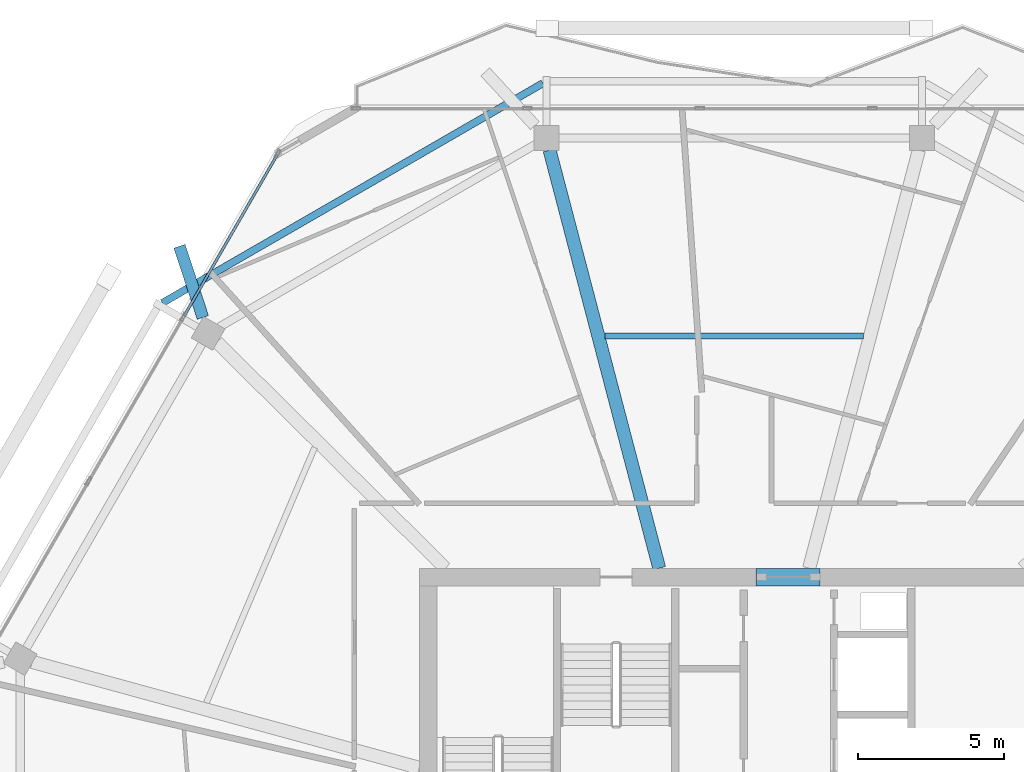
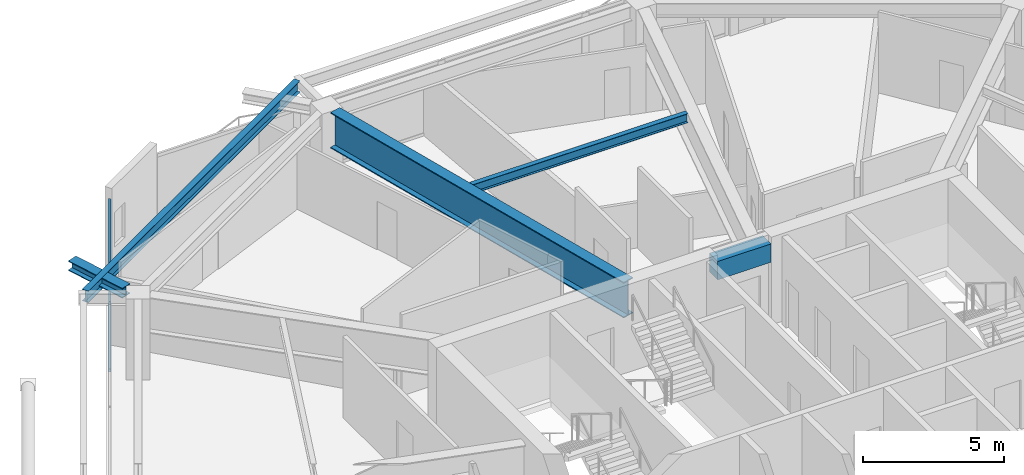
# One storey, part 13 of 26: 5 beams, 2 members, 1 element without a shape of its own.
"""IFC4 building model written with IfcOpenShell, lengths in metres."""

from ifc_helpers import new_model, si_unit, direction, frame, origin, origin_2d, place, context, subcontext, project, spatial, rectangle, hollow_rectangle, i_section, extrude, material, material_profile, profile_set, type_object, element, aggregate, save


model = new_model("IFC4")

# Units and contexts
model_context = context("Model", 3, precision=1e-05, world=origin(), true_north=direction((0.0, 1.0)))
body_context = subcontext(model_context, "Body", "Model", "MODEL_VIEW")
ifc_project = project(units=[si_unit("LENGTHUNIT", "METRE"), si_unit("AREAUNIT", "SQUARE_METRE"), si_unit("VOLUMEUNIT", "CUBIC_METRE"), si_unit("PLANEANGLEUNIT", "RADIAN"), si_unit("MASSUNIT", "GRAM", prefix="KILO")], contexts=[model_context])

# Site, building, storey
site_placement = place(None, origin())
site = spatial("IfcSite", under=ifc_project, at=site_placement, CompositionType="ELEMENT")
building_placement = place(site_placement, origin())
building = spatial("IfcBuilding", under=site, at=building_placement, Name="Zuhravey Tower", CompositionType="ELEMENT")
storey_placement = place(building_placement, frame((0.0, 0.0, 299.60009765625)))
storey = spatial("IfcBuildingStorey", under=building, at=storey_placement, Name="L76", CompositionType="ELEMENT", Elevation=299.60009765625)

# Beam
ifc_material_1 = material(Name="Concrete C50/60", Category="concrete")
ifc_material_profile_1 = material_profile(ifc_material_1, rectangle(XDim=0.60009765625, YDim=0.800048828125, at=origin_2d()), Name="RC-600x800")
ifc_profile_set_1 = profile_set([ifc_material_profile_1], Name="Concrete C50/60")
beam_type_1 = type_object("IfcBeamType", Name="Core Coupling Beam RC600x800", PredefinedType="LINTEL", material=ifc_profile_set_1)
beam_1_placement = place(storey_placement, frame((36.751953125, 41.5, 3.119873046875), z_axis=(1.0, 0.0, 0.0), x_axis=(0.0, 1.0, 0.0)))
element("IfcBeam", 1, at=beam_1_placement, inside=storey, type_object=beam_type_1, Name="L76 CB2 BM-L76-CB-N", PredefinedType="LINTEL", context=body_context, shape_type="SweptSolid", body=[
    extrude(rectangle(XDim=0.60009765625, YDim=0.800048828125, at=origin_2d()), origin(), (0.0, 0.0, 1.0), 2.196044921875),
])

# Curtain wall, members
ifc_material_2 = material(Name="Thermally broken anodised aluminium", Category="aluminium")
curtain_wall_type = type_object("IfcCurtainWallType", Name="Zone 3-4 High-Rise Curtain Wall CW4", PredefinedType="NOTDEFINED", material=ifc_material_2)
curtain_wall_placement = place(storey_placement, origin())
curtain_wall = element("IfcCurtainWall", 2, at=curtain_wall_placement, inside=storey, type_object=curtain_wall_type, Name="L76 CW4 CW-L76-F3-1", PredefinedType="NOTDEFINED")
ifc_material_3 = material(Name="Anodised aluminium", Category="aluminium")
ifc_material_profile_2 = material_profile(ifc_material_3, hollow_rectangle(XDim=0.090087890625, YDim=0.14990234375, WallThickness=0.0048828125, at=origin_2d()), Name="ALU-RHS-90x150x5")
ifc_profile_set_2 = profile_set([ifc_material_profile_2], Name="Anodised aluminium")
member_type = type_object("IfcMemberType", Name="Curtain-Wall Transom 90x150", PredefinedType="USERDEFINED", material=ifc_profile_set_2)
member_1_placement = place(storey_placement, frame((17.136962890625, 50.455322265625, 0.044921875), z_axis=(0.499980071345, 0.866036909293, 0.0), x_axis=(-0.866036909293, 0.499980071345, 0.0)))
member_1 = element("IfcMember", 3, at=member_1_placement, type_object=member_type, Name="CW4 transom 4.1", ObjectType="TRANSOM", PredefinedType="USERDEFINED", context=body_context, shape_type="SweptSolid", body=[
    extrude(hollow_rectangle(XDim=0.090087890625, YDim=0.14990234375, WallThickness=0.0048828125, at=origin_2d()), origin(), (0.0, 0.0, 1.0), 6.371337890625),
])
member_2_placement = place(storey_placement, frame((17.136962890625, 50.455322265625, 2.974853515625), z_axis=(0.499980071345, 0.866036909293, 0.0), x_axis=(-0.866036909293, 0.499980071345, 0.0)))
member_2 = element("IfcMember", 4, at=member_2_placement, type_object=member_type, Name="CW4 transom 4.2", ObjectType="TRANSOM", PredefinedType="USERDEFINED", context=body_context, shape_type="SweptSolid", body=[
    extrude(hollow_rectangle(XDim=0.090087890625, YDim=0.14990234375, WallThickness=0.0048828125, at=origin_2d()), origin(), (0.0, 0.0, 1.0), 6.371337890625),
])
aggregate(curtain_wall, [member_1, member_2])

# Beams
ifc_material_4 = material(Name="Steel SM460", Category="steel")
ifc_material_profile_3 = material_profile(ifc_material_4, i_section(OverallWidth=0.406982421875, OverallDepth=0.427978515625, WebThickness=0.02001953125, FlangeThickness=0.034912109375, at=origin_2d()), Name="H-428x407x20x35")
ifc_profile_set_3 = profile_set([ifc_material_profile_3], Name="Steel SM460")
beam_type_2 = type_object("IfcBeamType", Name="Exoskeleton Node Tie Beam H428x407", PredefinedType="BEAM", material=ifc_profile_set_3)
beam_2_placement = place(storey_placement, frame((17.77734375, 50.400390625, 3.305908203125), z_axis=(-0.311724891649, 0.95017240116, 0.0), x_axis=(-0.95017240116, -0.311724891649, 0.0)))
element("IfcBeam", 5, at=beam_2_placement, inside=storey, type_object=beam_type_2, Name="L76 Exoskeleton Node Tie NT1-05", PredefinedType="BEAM", context=body_context, shape_type="SweptSolid", body=[
    extrude(i_section(OverallWidth=0.406982421875, OverallDepth=0.427978515625, WebThickness=0.02001953125, FlangeThickness=0.034912109375, at=origin_2d()), origin(), (0.0, 0.0, 1.0), 2.572021484375),
])
ifc_material_profile_4 = material_profile(ifc_material_4, i_section(OverallWidth=0.449951171875, OverallDepth=1.550048828125, WebThickness=0.02587890625, FlangeThickness=0.0419921875, at=origin_2d()), Name="H-1550x450x26x42")
ifc_profile_set_4 = profile_set([ifc_material_profile_4], Name="Steel SM460")
beam_type_3 = type_object("IfcBeamType", Name="Heavy Setback Transfer Girder H1550x450", PredefinedType="BEAM", material=ifc_profile_set_4)
beam_3_placement = place(storey_placement, frame((33.428466796875, 41.802978515625, 2.744873046875), z_axis=(-0.25373188956, 0.967274587809, 0.0), x_axis=(-0.967274587809, -0.25373188956, 0.0)))
element("IfcBeam", 6, at=beam_3_placement, inside=storey, type_object=beam_type_3, Name="L76 TG3 BM-L76-RAD-04", PredefinedType="BEAM", context=body_context, shape_type="SweptSolid", body=[
    extrude(i_section(OverallWidth=0.449951171875, OverallDepth=1.550048828125, WebThickness=0.02587890625, FlangeThickness=0.0419921875, at=origin_2d()), origin(), (0.0, 0.0, 1.0), 14.82177734375),
])
ifc_material_5 = material(Name="Steel SM355", Category="steel")
ifc_material_profile_5 = material_profile(ifc_material_5, i_section(OverallWidth=0.199951171875, OverallDepth=0.39990234375, WebThickness=0.008056640625, FlangeThickness=0.012939453125, at=origin_2d()), Name="H-400x200x8x13")
ifc_profile_set_5 = profile_set([ifc_material_profile_5], Name="Steel SM355")
beam_type_4 = type_object("IfcBeamType", Name="Secondary Floor Joist H400x200", PredefinedType="JOIST", material=ifc_profile_set_5)
beam_4_placement = place(storey_placement, frame((40.431884765625, 49.768310546875, 3.31982421875), z_axis=(-1.0, 0.0, 0.0), x_axis=(0.0, -1.0, 0.0)))
element("IfcBeam", 7, at=beam_4_placement, inside=storey, type_object=beam_type_4, Name="L76 SJ2 BM-L76-SJ-03-1", PredefinedType="JOIST", context=body_context, shape_type="SweptSolid", body=[
    extrude(i_section(OverallWidth=0.199951171875, OverallDepth=0.39990234375, WebThickness=0.008056640625, FlangeThickness=0.012939453125, at=origin_2d()), origin(), (0.0, 0.0, 1.0), 8.86376953125),
])
ifc_material_profile_6 = material_profile(ifc_material_5, i_section(OverallWidth=0.25, OverallDepth=0.5, WebThickness=0.010009765625, FlangeThickness=0.01611328125, at=origin_2d()), Name="H-500x250x10x16")
ifc_profile_set_6 = profile_set([ifc_material_profile_6], Name="Steel SM355")
beam_type_5 = type_object("IfcBeamType", Name="Tray Cantilever Spandrel H500x250", PredefinedType="SPANDREL", material=ifc_profile_set_6)
beam_5_placement = place(storey_placement, frame((29.437744140625, 58.43359375, 3.27001953125), z_axis=(-0.866019911426, -0.500009512923, 0.0), x_axis=(0.500009512923, -0.866019911426, 0.0)))
element("IfcBeam", 8, at=beam_5_placement, inside=storey, type_object=beam_type_5, Name="L76 Sky-Tray Edge Spandrel TSB1-04", PredefinedType="SPANDREL", context=body_context, shape_type="SweptSolid", body=[
    extrude(i_section(OverallWidth=0.25, OverallDepth=0.5, WebThickness=0.010009765625, FlangeThickness=0.01611328125, at=origin_2d()), origin(), (0.0, 0.0, 1.0), 15.067626953125),
])

save(model, "model.ifc")
